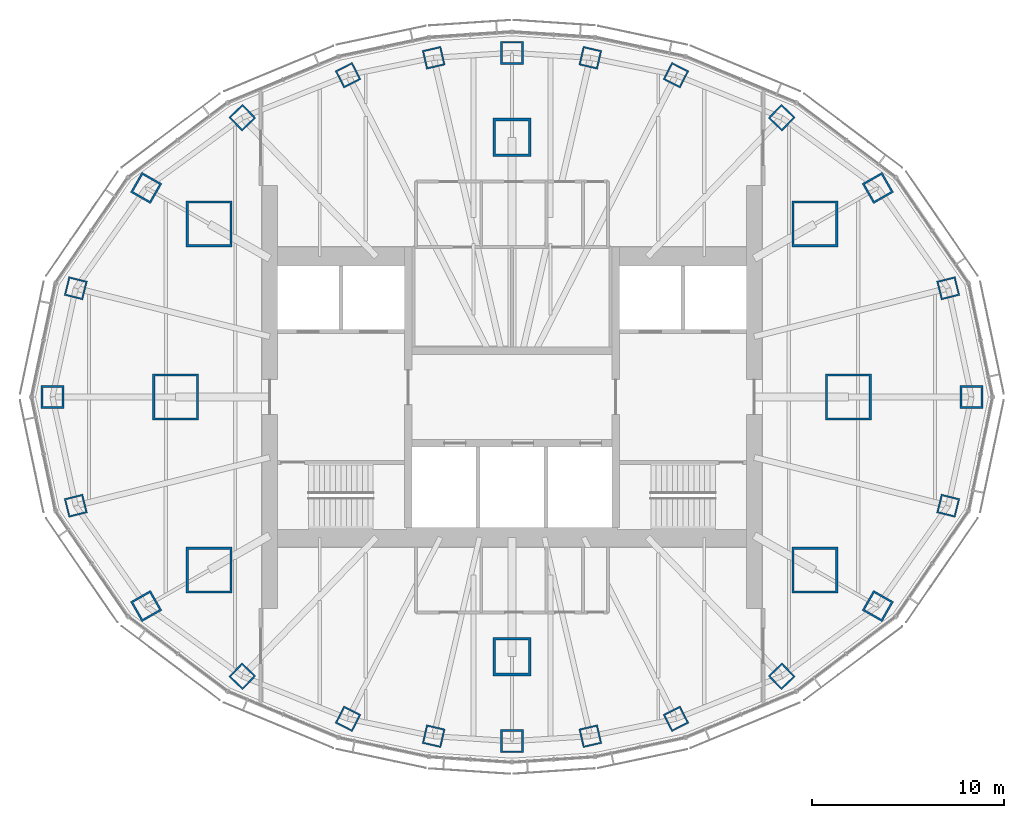
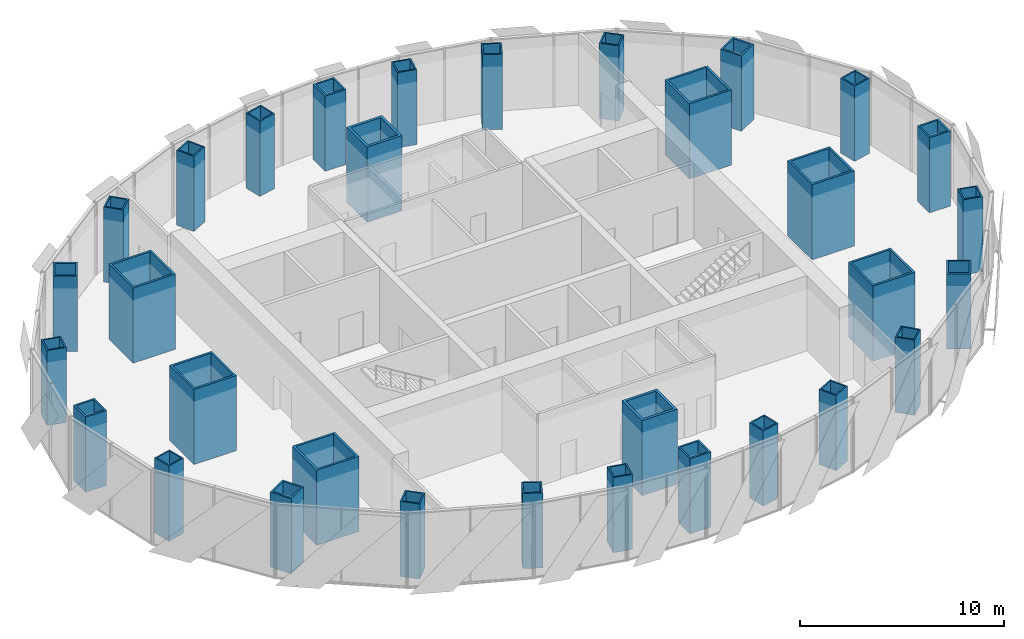
# One storey, part 1 of 15: 32 columns.
"""IFC4 building model written with IfcOpenShell, lengths in metres."""

from ifc_helpers import new_model, si_unit, direction, frame, origin, origin_2d, place, context, subcontext, project, spatial, rectangle, hollow_rectangle, extrude, material, material_profile, profile_set, type_object, element, save


model = new_model("IFC4")

# Units and contexts
model_context = context("Model", 3, precision=1e-05, world=origin(), true_north=direction((0.0, 1.0)))
body_context = subcontext(model_context, "Body", "Model", "MODEL_VIEW")
ifc_project = project(units=[si_unit("LENGTHUNIT", "METRE"), si_unit("AREAUNIT", "SQUARE_METRE"), si_unit("VOLUMEUNIT", "CUBIC_METRE"), si_unit("PLANEANGLEUNIT", "RADIAN"), si_unit("MASSUNIT", "GRAM", prefix="KILO")], contexts=[model_context])

# Site, building, storey
site_placement = place(None, origin())
site = spatial("IfcSite", under=ifc_project, at=site_placement, CompositionType="ELEMENT")
building_placement = place(site_placement, origin())
building = spatial("IfcBuilding", under=site, at=building_placement, Name="Lantaw Convention Tower", CompositionType="ELEMENT")
storey_placement = place(building_placement, frame((0.0, 0.0, 274.89990234375)))
storey = spatial("IfcBuildingStorey", under=building, at=storey_placement, Name="L64", CompositionType="ELEMENT", Elevation=274.89990234375)

# Columns
ifc_material_1 = material(Name="Steel EN 10025-3 S460N", Category="steel")
ifc_material_profile_1 = material_profile(ifc_material_1, hollow_rectangle(XDim=2.0, YDim=2.0, WallThickness=0.14990234375, at=origin_2d()), Name="BOX2000X150")
ifc_material_2 = material(Name="Concrete C60/75", Category="concrete")
ifc_material_profile_2 = material_profile(ifc_material_2, rectangle(XDim=1.699951171875, YDim=1.699951171875, at=origin_2d()), Name="Concrete fill of BOX2000X150")
ifc_profile_set_1 = profile_set([ifc_material_profile_1, ifc_material_profile_2], Name="Steel EN 10025-3 S460N")
column_type_1 = type_object("IfcColumnType", Name="Column MC BOX2000X150", PredefinedType="COLUMN", material=ifc_profile_set_1)
for number, where, z_axis, x_axis, name in (
    (1, (0.0, 13.5, 0.0), (0.0, 0.0, 1.0), (1.0, 0.0, 0.0), "Mega column M3"),
    (2, (0.0, -13.5, 0.0), (0.0, 0.0, 1.0), (1.0, 0.0, 0.0), "Mega column M7"),
):
    element("IfcColumn", number, at=place(storey_placement, frame(where, z_axis=z_axis, x_axis=x_axis)), inside=storey, type_object=column_type_1, Name=name, PredefinedType="COLUMN", context=body_context, shape_type="SweptSolid", body=[
        extrude(hollow_rectangle(XDim=2.0, YDim=2.0, WallThickness=0.14990234375, at=origin_2d()), origin(), (0.0, 0.0, 1.0), 4.5),
    ])
ifc_material_profile_3 = material_profile(ifc_material_1, hollow_rectangle(XDim=2.39990234375, YDim=2.39990234375, WallThickness=0.1201171875, at=origin_2d()), Name="BOX2400X120")
ifc_material_profile_4 = material_profile(ifc_material_2, rectangle(XDim=2.159912109375, YDim=2.159912109375, at=origin_2d()), Name="Concrete fill of BOX2400X120")
ifc_profile_set_2 = profile_set([ifc_material_profile_3, ifc_material_profile_4], Name="Steel EN 10025-3 S460N")
column_type_2 = type_object("IfcColumnType", Name="Column MC BOX2400X120", PredefinedType="COLUMN", material=ifc_profile_set_2)
for number, where, z_axis, x_axis, name in (
    (3, (17.5, 0.0, 0.0), (0.0, 0.0, 1.0), (1.0, 0.0, 0.0), "Mega column M1"),
    (4, (15.75, 9.0, 0.0), (0.0, 0.0, 1.0), (1.0, 0.0, 0.0), "Mega column M2"),
    (5, (-15.75, 9.0, 0.0), (0.0, 0.0, 1.0), (1.0, 0.0, 0.0), "Mega column M4"),
    (6, (-17.5, 0.0, 0.0), (0.0, 0.0, 1.0), (1.0, 0.0, 0.0), "Mega column M5"),
    (7, (-15.75, -9.0, 0.0), (0.0, 0.0, 1.0), (1.0, 0.0, 0.0), "Mega column M6"),
    (8, (15.75, -9.0, 0.0), (0.0, 0.0, 1.0), (1.0, 0.0, 0.0), "Mega column M8"),
):
    element("IfcColumn", number, at=place(storey_placement, frame(where, z_axis=z_axis, x_axis=x_axis)), inside=storey, type_object=column_type_2, Name=name, PredefinedType="COLUMN", context=body_context, shape_type="SweptSolid", body=[
        extrude(hollow_rectangle(XDim=2.39990234375, YDim=2.39990234375, WallThickness=0.1201171875, at=origin_2d()), origin(), (0.0, 0.0, 1.0), 4.5),
    ])
ifc_material_3 = material(Name="Steel ASTM A572 Grade 50", Category="steel")
ifc_material_profile_5 = material_profile(ifc_material_3, hollow_rectangle(XDim=1.0, YDim=1.0, WallThickness=0.080078125, at=origin_2d()), Name="BOX1000X80")
ifc_material_profile_6 = material_profile(ifc_material_2, rectangle(XDim=0.840087890625, YDim=0.840087890625, at=origin_2d()), Name="Concrete fill of BOX1000X80")
ifc_profile_set_3 = profile_set([ifc_material_profile_5, ifc_material_profile_6], Name="Steel ASTM A572 Grade 50")
column_type_3 = type_object("IfcColumnType", Name="Column PC BOX1000X80", PredefinedType="COLUMN", material=ifc_profile_set_3)
for number, where, z_axis, x_axis, name in (
    (9, (22.68701171875, 5.656494140625, 0.0), (0.0, 0.0, 1.0), (0.970295726276, 0.2419218956, 0.0), "Perimeter column P2"),
    (10, (14.027587890625, 14.526123046875, 0.0), (0.0, 0.0, 1.0), (0.694658370459, 0.719339800339, 0.0), "Perimeter column P4"),
    (11, (8.5283203125, 16.73779296875, 0.0), (0.0, 0.0, 1.0), (0.45399049974, 0.891006524188, 0.0), "Perimeter column P5"),
    (12, (4.072998046875, 17.642333984375, 0.0), (0.0, 0.0, 1.0), (0.224951054344, 0.974370064785, 0.0), "Perimeter column P6"),
    (13, (-4.072998046875, 17.642333984375, 0.0), (0.0, 0.0, 1.0), (0.974370064785, 0.224951054344, 0.0), "Perimeter column P8"),
    (14, (-8.5283203125, 16.73779296875, 0.0), (0.0, 0.0, 1.0), (0.891006524188, 0.45399049974, 0.0), "Perimeter column P9"),
    (15, (-14.027587890625, 14.526123046875, 0.0), (0.0, 0.0, 1.0), (0.719339800339, 0.694658370459, 0.0), "Perimeter column P10"),
    (16, (-22.68701171875, 5.656494140625, 0.0), (0.0, 0.0, 1.0), (0.2419218956, 0.970295726276, 0.0), "Perimeter column P12"),
    (17, (-22.68701171875, -5.656494140625, 0.0), (0.0, 0.0, 1.0), (0.970295726276, 0.2419218956, 0.0), "Perimeter column P14"),
    (18, (-14.027587890625, -14.526123046875, 0.0), (0.0, 0.0, 1.0), (0.694658370459, 0.719339800339, 0.0), "Perimeter column P16"),
    (19, (-8.5283203125, -16.73779296875, 0.0), (0.0, 0.0, 1.0), (0.45399049974, 0.891006524188, 0.0), "Perimeter column P17"),
    (20, (-4.072998046875, -17.642333984375, 0.0), (0.0, 0.0, 1.0), (0.224951054344, 0.974370064785, 0.0), "Perimeter column P18"),
    (21, (4.072998046875, -17.642333984375, 0.0), (0.0, 0.0, 1.0), (0.974370064785, 0.224951054344, 0.0), "Perimeter column P20"),
    (22, (8.5283203125, -16.73779296875, 0.0), (0.0, 0.0, 1.0), (0.891006524188, 0.45399049974, 0.0), "Perimeter column P21"),
    (23, (14.027587890625, -14.526123046875, 0.0), (0.0, 0.0, 1.0), (0.719339800339, 0.694658370459, 0.0), "Perimeter column P22"),
    (24, (22.68701171875, -5.656494140625, 0.0), (0.0, 0.0, 1.0), (0.2419218956, 0.970295726276, 0.0), "Perimeter column P24"),
):
    element("IfcColumn", number, at=place(storey_placement, frame(where, z_axis=z_axis, x_axis=x_axis)), inside=storey, type_object=column_type_3, Name=name, PredefinedType="COLUMN", context=body_context, shape_type="SweptSolid", body=[
        extrude(hollow_rectangle(XDim=1.0, YDim=1.0, WallThickness=0.080078125, at=origin_2d()), origin(), (0.0, 0.0, 1.0), 4.5),
    ])
ifc_material_profile_7 = material_profile(ifc_material_1, hollow_rectangle(XDim=1.199951171875, YDim=1.199951171875, WallThickness=0.10009765625, at=origin_2d()), Name="BOX1200X100")
ifc_material_profile_8 = material_profile(ifc_material_2, rectangle(XDim=1.0, YDim=1.0, at=origin_2d()), Name="Concrete fill of BOX1200X100")
ifc_profile_set_4 = profile_set([ifc_material_profile_7, ifc_material_profile_8], Name="Steel EN 10025-3 S460N")
column_type_4 = type_object("IfcColumnType", Name="Column PC BOX1200X100", PredefinedType="COLUMN", material=ifc_profile_set_4)
for number, where, z_axis, x_axis, name in (
    (25, (23.89990234375, 0.0, 0.0), (0.0, 0.0, 1.0), (1.0, 0.0, 0.0), "Perimeter column P1"),
    (26, (19.02685546875, 10.87255859375, 0.0), (0.0, 0.0, 1.0), (0.86824298017, 0.496139221777, 0.0), "Perimeter column P3"),
    (27, (0.0, 17.89990234375, 0.0), (0.0, 0.0, 1.0), (1.0, 0.0, 0.0), "Perimeter column P7"),
    (28, (-19.02685546875, 10.87255859375, 0.0), (0.0, 0.0, 1.0), (0.496139221777, 0.86824298017, 0.0), "Perimeter column P11"),
    (29, (-23.89990234375, 0.0, 0.0), (0.0, 0.0, 1.0), (1.0, 0.0, 0.0), "Perimeter column P13"),
    (30, (-19.02685546875, -10.87255859375, 0.0), (0.0, 0.0, 1.0), (0.86824298017, 0.496139221777, 0.0), "Perimeter column P15"),
    (31, (0.0, -17.89990234375, 0.0), (0.0, 0.0, 1.0), (1.0, 0.0, 0.0), "Perimeter column P19"),
    (32, (19.02685546875, -10.87255859375, 0.0), (0.0, 0.0, 1.0), (0.496139221777, 0.86824298017, 0.0), "Perimeter column P23"),
):
    element("IfcColumn", number, at=place(storey_placement, frame(where, z_axis=z_axis, x_axis=x_axis)), inside=storey, type_object=column_type_4, Name=name, PredefinedType="COLUMN", context=body_context, shape_type="SweptSolid", body=[
        extrude(hollow_rectangle(XDim=1.199951171875, YDim=1.199951171875, WallThickness=0.10009765625, at=origin_2d()), origin(), (0.0, 0.0, 1.0), 4.5),
    ])

save(model, "model.ifc")
